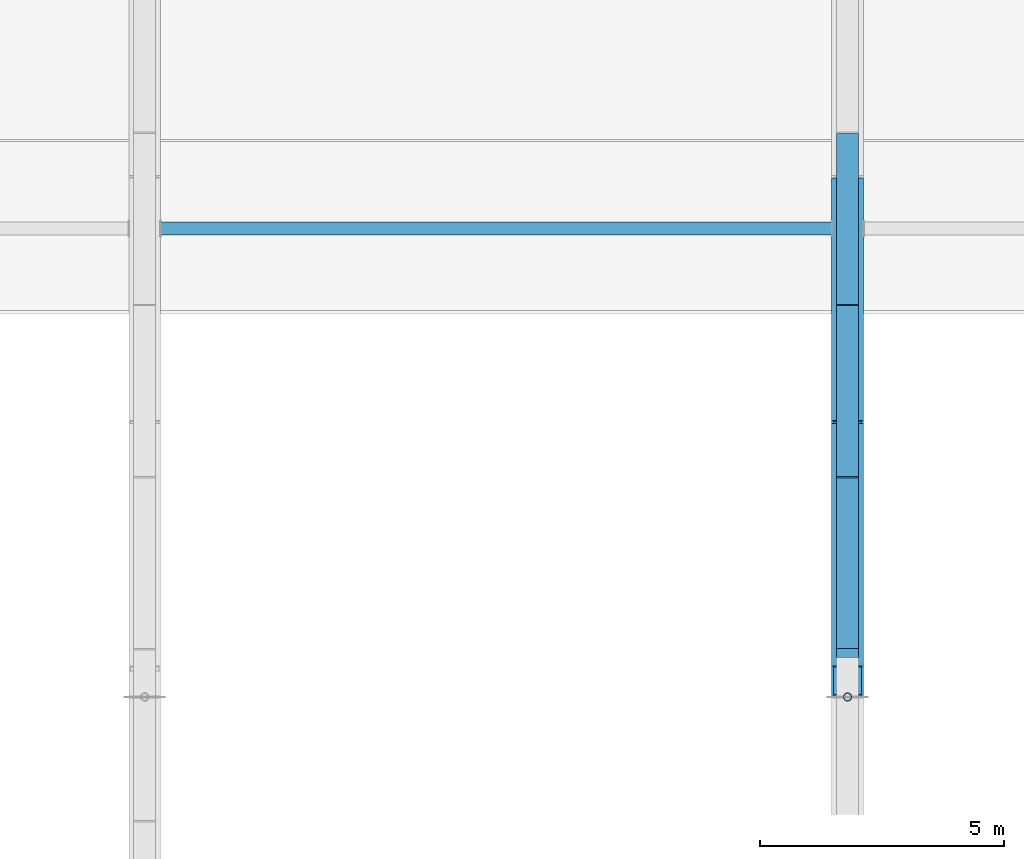
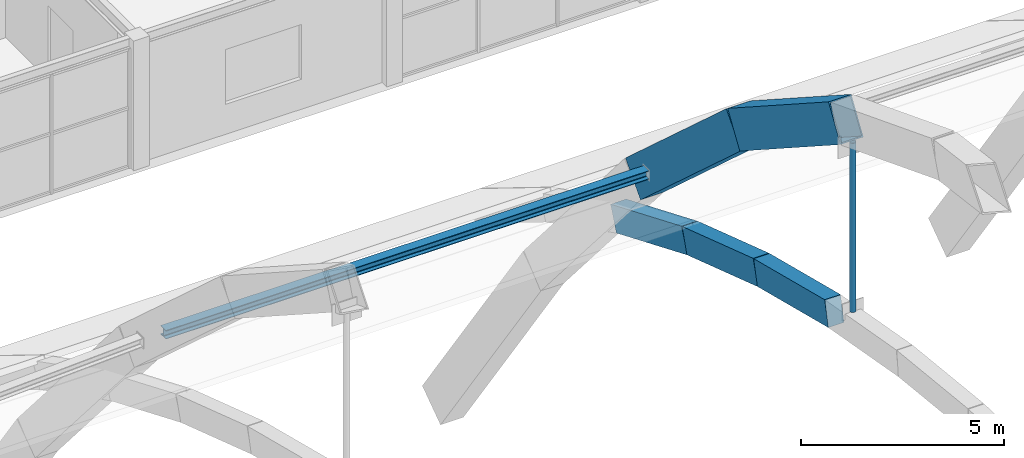
# One storey, part 14 of 64: 4 members, 3 beams.
"""IFC4 building model written with IfcOpenShell, lengths in metres."""

import ifcopenshell
import ifcopenshell.guid

model = None  # the IFC model being written
_history = None  # IfcOwnerHistory: only IFC2X3 demands one
_inside = {}  # id of a spatial element -> (the spatial element, [elements in it])
_under = {}  # id of a project, library or spatial element -> (it, [spatial elements below it])
_declared = {}  # id of a project -> (the project, [libraries it declares])
_typed = {}  # id of a type object -> (the type object, [elements of that type])
_made_of = {}  # id of a material, layer set ... -> (it, [elements and type objects made of it])


def new_model(schema):
    """Start an empty IFC model of exactly this schema.

    Asked for "IFC4X3", IfcOpenShell would pick the latest addendum, in which some entities
    have other attributes; the version numbers below select the first issue.
    IFC2X3 requires an IfcOwnerHistory on every rooted entity: one is made here for all.
    """
    global model, _history
    if schema == "IFC4X3":
        model = ifcopenshell.file(schema_version=(4, 3, 0, 0))
    else:
        model = ifcopenshell.file(schema=schema)
    _inside.clear()
    _under.clear()
    _declared.clear()
    _typed.clear()
    _made_of.clear()
    _history = None
    if model.schema == "IFC2X3":
        org = make("IfcOrganization", Name="unknown")
        user = make(
            "IfcPersonAndOrganization",
            ThePerson=make("IfcPerson", FamilyName="unknown"),
            TheOrganization=org,
        )
        app = make(
            "IfcApplication",
            ApplicationDeveloper=org,
            Version="unknown",
            ApplicationFullName="unknown",
            ApplicationIdentifier="unknown",
        )
        _history = make(
            "IfcOwnerHistory",
            OwningUser=user,
            OwningApplication=app,
            ChangeAction="ADDED",
            CreationDate=0,
        )
    return model


def make(cls, **values):
    """One entity of the class cls with the attributes given. An attribute that is None is left unset."""
    return model.create_entity(
        cls, **{name: value for name, value in values.items() if value is not None}
    )


def rooted(cls, **values):
    """An entity with a GlobalId (a new one), such as an element, a storey or a relation."""
    return make(cls, GlobalId=ifcopenshell.guid.new(), OwnerHistory=_history, **values)


def si_unit(unit_type, name, prefix=None):
    """IfcSIUnit, for example si_unit("LENGTHUNIT", "METRE", prefix="MILLI")."""
    return make("IfcSIUnit", UnitType=unit_type, Prefix=prefix, Name=name)


def assignment(units):
    """IfcUnitAssignment: the units of a project."""
    return None if units is None else make("IfcUnitAssignment", Units=units)


def point(xyz):
    """IfcCartesianPoint."""
    return None if xyz is None else make("IfcCartesianPoint", Coordinates=xyz)


def direction(xyz):
    """IfcDirection."""
    return None if xyz is None else make("IfcDirection", DirectionRatios=xyz)


def frame(location, z_axis=None, x_axis=None):
    """IfcAxis2Placement3D, a coordinate frame: its origin and axes. An axis left out is left unset."""
    return make(
        "IfcAxis2Placement3D",
        Location=point(location),
        Axis=direction(z_axis),
        RefDirection=direction(x_axis),
    )


def frame_2d(location, x_axis=None):
    """IfcAxis2Placement2D, a coordinate frame in the plane: its origin and x axis."""
    return make(
        "IfcAxis2Placement2D", Location=point(location), RefDirection=direction(x_axis)
    )


def origin():
    """The frame at (0, 0, 0) with its axes left unset."""
    return frame((0.0, 0.0, 0.0))


def origin_2d():
    """The frame at (0, 0) in the plane with its x axis left unset."""
    return frame_2d((0.0, 0.0))


def place(relative_to, where):
    """IfcLocalPlacement: puts the frame where relative to a parent placement (None: the world)."""
    return make(
        "IfcLocalPlacement", PlacementRelTo=relative_to, RelativePlacement=where
    )


def context(
    kind, dimensions, precision=None, world=None, true_north=None, identifier=None
):
    """IfcGeometricRepresentationContext, for example the 3D "Model" context."""
    return make(
        "IfcGeometricRepresentationContext",
        ContextIdentifier=identifier,
        ContextType=kind,
        CoordinateSpaceDimension=dimensions,
        Precision=precision,
        WorldCoordinateSystem=world,
        TrueNorth=true_north,
    )


def subcontext(parent, identifier, kind, view, scale=None):
    """IfcGeometricRepresentationSubContext, for example "Body" below "Model"."""
    return make(
        "IfcGeometricRepresentationSubContext",
        ContextIdentifier=identifier,
        ContextType=kind,
        ParentContext=parent,
        TargetScale=scale,
        TargetView=view,
    )


def project(units=None, contexts=None):
    """IfcProject with its units and contexts."""
    return rooted(
        "IfcProject",
        Name="project",
        RepresentationContexts=contexts,
        UnitsInContext=assignment(units),
    )


def spatial(cls, under=None, at=None, **own):
    """A site, building, storey or space (cls), placed at a placement, below another one or the project."""
    s = rooted(cls, ObjectPlacement=at, **own)
    if under is not None:
        _under.setdefault(under.id(), (under, []))[1].append(s)
    return s


def profile(cls, at=None, kind="AREA", **sizes):
    """A parametric profile (cls). Its sizes go by their IFC names, for example OverallWidth=200.0."""
    return make(cls, ProfileType=kind, Position=at, **sizes)


def rectangle(**sizes):
    """IfcRectangleProfileDef."""
    return profile("IfcRectangleProfileDef", **sizes)


def hollow_rectangle(**sizes):
    """IfcRectangleHollowProfileDef."""
    return profile("IfcRectangleHollowProfileDef", **sizes)


def hollow_circle(**sizes):
    """IfcCircleHollowProfileDef."""
    return profile("IfcCircleHollowProfileDef", **sizes)


def i_section(**sizes):
    """IfcIShapeProfileDef."""
    return profile("IfcIShapeProfileDef", **sizes)


def extrude(swept, where, along, depth):
    """IfcExtrudedAreaSolid: the profile swept, set in the frame where, extruded along a direction by depth."""
    return make(
        "IfcExtrudedAreaSolid",
        SweptArea=swept,
        Position=where,
        ExtrudedDirection=direction(along),
        Depth=depth,
    )


def shape(context_of_items, identifier, shape_type, items):
    """IfcShapeRepresentation: the items that make up one representation, for example the "Body"."""
    return make(
        "IfcShapeRepresentation",
        ContextOfItems=context_of_items,
        RepresentationIdentifier=identifier,
        RepresentationType=shape_type,
        Items=items,
    )


def material(Name=None, Category=None):
    """IfcMaterial."""
    return make("IfcMaterial", Name=Name, Category=Category)


def material_profile(
    of_material, cross_section, Name=None, Category=None, Priority=None
):
    """IfcMaterialProfile: a cross section and its material."""
    return make(
        "IfcMaterialProfile",
        Name=Name,
        Material=of_material,
        Profile=cross_section,
        Priority=Priority,
        Category=Category,
    )


def profile_set(profiles, Name=None, composite=None):
    """IfcMaterialProfileSet."""
    return make(
        "IfcMaterialProfileSet",
        Name=Name,
        MaterialProfiles=profiles,
        CompositeProfile=composite,
    )


def made_of(thing, what):
    """Note that an element or type object is made of a material, layer set ...; save() writes the relation."""
    if what is not None:
        _made_of.setdefault(what.id(), (what, []))[1].append(thing)
    return thing


def type_object(cls, material=None, **own):
    """A type object (cls), such as IfcWallType, which elements share."""
    return made_of(rooted(cls, **own), material)


def element(
    cls,
    number,
    at=None,
    inside=None,
    cuts=None,
    type_object=None,
    material=None,
    context=None,
    identifier="Body",
    shape_type=None,
    held_by="IfcProductDefinitionShape",
    body=None,
    shapes=None,
    **own,
):
    """One element of the class cls, such as IfcWall. Its Tag is "e" and its number.

    at: its placement. inside: the storey or other place that contains it. cuts: it is an
    opening in that element (IfcRelVoidsElement). A single representation is given by context,
    identifier, shape_type and body (its items); several are given by shapes. held_by: the class
    of the entity that holds the representations. save() writes the other relations.
    """
    e = rooted(cls, Tag="e%d" % number, ObjectPlacement=at, **own)
    if body is not None:
        shapes = [shape(context, identifier, shape_type, body)]
    if shapes is not None:
        e.Representation = make(held_by, Representations=shapes)
    if inside is not None:
        _inside.setdefault(inside.id(), (inside, []))[1].append(e)
    if cuts is not None:
        rooted(
            "IfcRelVoidsElement", RelatingBuildingElement=cuts, RelatedOpeningElement=e
        )
    if type_object is not None:
        _typed.setdefault(type_object.id(), (type_object, []))[1].append(e)
    return made_of(e, material)


def aggregate(whole, parts):
    """IfcRelAggregates: a whole, such as a stair, and the parts it consists of."""
    return rooted("IfcRelAggregates", RelatingObject=whole, RelatedObjects=parts)


def save(model, path):
    """Write the relations noted so far, then the file.

    IfcRelAggregates (storeys below a building ...), IfcRelContainedInSpatialStructure (elements
    in a storey), IfcRelDefinesByType, IfcRelAssociatesMaterial and IfcRelDeclares: one each for
    every whole, place, type object, material and project.
    """
    for whole, parts in _under.values():
        aggregate(whole, parts)
    for where, things in _inside.values():
        rooted(
            "IfcRelContainedInSpatialStructure",
            RelatedElements=things,
            RelatingStructure=where,
        )
    for kind, things in _typed.values():
        rooted("IfcRelDefinesByType", RelatedObjects=things, RelatingType=kind)
    for what, things in _made_of.values():
        rooted("IfcRelAssociatesMaterial", RelatedObjects=things, RelatingMaterial=what)
    for by, libraries in _declared.values():
        rooted("IfcRelDeclares", RelatingContext=by, RelatedDefinitions=libraries)
    model.write(path)


model = new_model("IFC4")

# Units and contexts
model_context = context("Model", 3, precision=1e-05, world=origin(), true_north=direction((0.0, 1.0)))
body_context = subcontext(model_context, "Body", "Model", "MODEL_VIEW")
ifc_project = project(units=[si_unit("LENGTHUNIT", "METRE"), si_unit("AREAUNIT", "SQUARE_METRE"), si_unit("VOLUMEUNIT", "CUBIC_METRE"), si_unit("PLANEANGLEUNIT", "RADIAN"), si_unit("MASSUNIT", "GRAM", prefix="KILO")], contexts=[model_context])

# Site, building, storey
site_placement = place(None, origin())
site = spatial("IfcSite", under=ifc_project, at=site_placement, CompositionType="ELEMENT")
building_placement = place(site_placement, origin())
building = spatial("IfcBuilding", under=site, at=building_placement, Name="Leyfeld Transit Interchange", CompositionType="ELEMENT")
storey_placement = place(building_placement, frame((0.0, 0.0, 9.60009765625)))
storey = spatial("IfcBuildingStorey", under=building, at=storey_placement, Name="L02", CompositionType="ELEMENT", Elevation=9.60009765625)

# Beams
ifc_material_1 = material(Name="Concrete C40/50", Category="concrete")
ifc_material_profile_1 = material_profile(ifc_material_1, rectangle(XDim=0.449951171875, YDim=0.75, at=origin_2d()), Name="RC 750x450 RIB")
ifc_profile_set_1 = profile_set([ifc_material_profile_1], Name="Concrete C40/50")
beam_type = type_object("IfcBeamType", Name="BM-RIB-750x450", PredefinedType="USERDEFINED", material=ifc_profile_set_1)
beam_1_placement = place(storey_placement, frame((28.800048828125, 42.89990234375, 6.3251953125), z_axis=(0.0, 0.969486598247, -0.245144316312), x_axis=(-1.0, 0.0, 0.0)))
element("IfcBeam", 1, at=beam_1_placement, inside=storey, type_object=beam_type, Name="Concourse Vault Rib A3 Seg 12", ObjectType="ARCH_RIB", PredefinedType="USERDEFINED", context=body_context, shape_type="SweptSolid", body=[
    extrude(rectangle(XDim=0.449951171875, YDim=0.75, at=origin_2d()), origin(), (0.0, 0.0, 1.0), 3.610107421875),
])
beam_2_placement = place(storey_placement, frame((28.800048828125, 46.39990234375, 5.440185546875), z_axis=(0.0, 0.949033570575, -0.315175002058), x_axis=(-1.0, 0.0, 0.0)))
element("IfcBeam", 2, at=beam_2_placement, inside=storey, type_object=beam_type, Name="Concourse Vault Rib A3 Seg 13", ObjectType="ARCH_RIB", PredefinedType="USERDEFINED", context=body_context, shape_type="SweptSolid", body=[
    extrude(rectangle(XDim=0.449951171875, YDim=0.75, at=origin_2d()), origin(), (0.0, 0.0, 1.0), 3.68798828125),
])
beam_3_placement = place(storey_placement, frame((28.800048828125, 49.89990234375, 4.27783203125), z_axis=(0.0, 0.922787193718, -0.385309998716), x_axis=(-1.0, 0.0, 0.0)))
element("IfcBeam", 3, at=beam_3_placement, inside=storey, type_object=beam_type, Name="Concourse Vault Rib A3 Seg 14", ObjectType="ARCH_RIB", PredefinedType="USERDEFINED", context=body_context, shape_type="SweptSolid", body=[
    extrude(rectangle(XDim=0.449951171875, YDim=0.75, at=origin_2d()), origin(), (0.0, 0.0, 1.0), 3.79296875),
])

# Members
ifc_material_2 = material(Name="Steel S355J2 - Ochre Arch", Category="steel")
ifc_material_profile_2 = material_profile(ifc_material_2, hollow_rectangle(XDim=0.64990234375, YDim=1.10009765625, WallThickness=0.035888671875, at=origin_2d()), Name="RHS 1100x650x36")
ifc_profile_set_2 = profile_set([ifc_material_profile_2], Name="Steel S355J2 - Ochre Arch")
member_type_1 = type_object("IfcMemberType", Name="MEM-ARCH-1100", PredefinedType="USERDEFINED", material=ifc_profile_set_2)
member_1_placement = place(storey_placement, frame((28.800048828125, 42.333251953125, 12.433349609375), z_axis=(0.0, 0.839979785282, -0.542617692596), x_axis=(-1.0, 0.0, 0.0)))
element("IfcMember", 4, at=member_1_placement, inside=storey, type_object=member_type_1, Name="Primary Steel Arch AR-02 Seg 9", ObjectType="ARCH_SEGMENT", PredefinedType="USERDEFINED", context=body_context, shape_type="SweptSolid", body=[
    extrude(hollow_rectangle(XDim=0.64990234375, YDim=1.10009765625, WallThickness=0.035888671875, at=origin_2d()), origin(), (0.0, 0.0, 1.0), 5.9130859375),
])
member_2_placement = place(storey_placement, frame((28.800048828125, 47.300048828125, 9.224853515625), z_axis=(0.0, 0.741673096265, -0.670761521166), x_axis=(-1.0, 0.0, 0.0)))
element("IfcMember", 5, at=member_2_placement, inside=storey, type_object=member_type_1, Name="Primary Steel Arch AR-02 Seg 10", ObjectType="ARCH_SEGMENT", PredefinedType="USERDEFINED", context=body_context, shape_type="SweptSolid", body=[
    extrude(hollow_rectangle(XDim=0.64990234375, YDim=1.10009765625, WallThickness=0.035888671875, at=origin_2d()), origin(), (0.0, 0.0, 1.0), 6.696533203125),
])
ifc_material_3 = material(Name="Steel S355J2", Category="steel")
ifc_material_profile_3 = material_profile(ifc_material_3, i_section(OverallWidth=0.260009765625, OverallDepth=0.260009765625, WebThickness=0.010009765625, FlangeThickness=0.017578125, FilletRadius=0.02392578125, at=origin_2d()), Name="HEB 260")
ifc_profile_set_3 = profile_set([ifc_material_profile_3], Name="Steel S355J2")
member_type_2 = type_object("IfcMemberType", Name="MEM-CHD-HEB260", PredefinedType="CHORD", material=ifc_profile_set_3)
member_3_placement = place(storey_placement, frame((14.72509765625, 51.60009765625, 5.336181640625), z_axis=(1.0, 0.0, 0.0), x_axis=(0.0, 1.0, 0.0)))
element("IfcMember", 6, at=member_3_placement, inside=storey, type_object=member_type_2, Name="Arch Longitudinal Tie Chord B2 T3", PredefinedType="CHORD", context=body_context, shape_type="SweptSolid", body=[
    extrude(i_section(OverallWidth=0.260009765625, OverallDepth=0.260009765625, WebThickness=0.010009765625, FlangeThickness=0.017578125, FilletRadius=0.02392578125, at=origin_2d()), origin(), (0.0, 0.0, 1.0), 13.75),
])
ifc_material_profile_4 = material_profile(ifc_material_3, hollow_circle(Radius=0.084228515625, WallThickness=0.008056640625, at=origin_2d()), Name="CHS 168.3x8")
ifc_profile_set_4 = profile_set([ifc_material_profile_4], Name="Steel S355J2")
member_type_3 = type_object("IfcMemberType", Name="MEM-HGR-168", PredefinedType="USERDEFINED", material=ifc_profile_set_4)
member_4_placement = place(storey_placement, frame((28.800048828125, 42.0, 6.885009765625), z_axis=(0.0, 0.0, 1.0), x_axis=(1.0, 0.0, 0.0)))
element("IfcMember", 7, at=member_4_placement, inside=storey, type_object=member_type_3, Name="Arch Tension Hanger AR-02 H5", ObjectType="SUSPENDER", PredefinedType="USERDEFINED", context=body_context, shape_type="SweptSolid", body=[
    extrude(hollow_circle(Radius=0.084228515625, WallThickness=0.008056640625, at=origin_2d()), origin(), (0.0, 0.0, 1.0), 5.087646484375),
])

save(model, "model.ifc")
